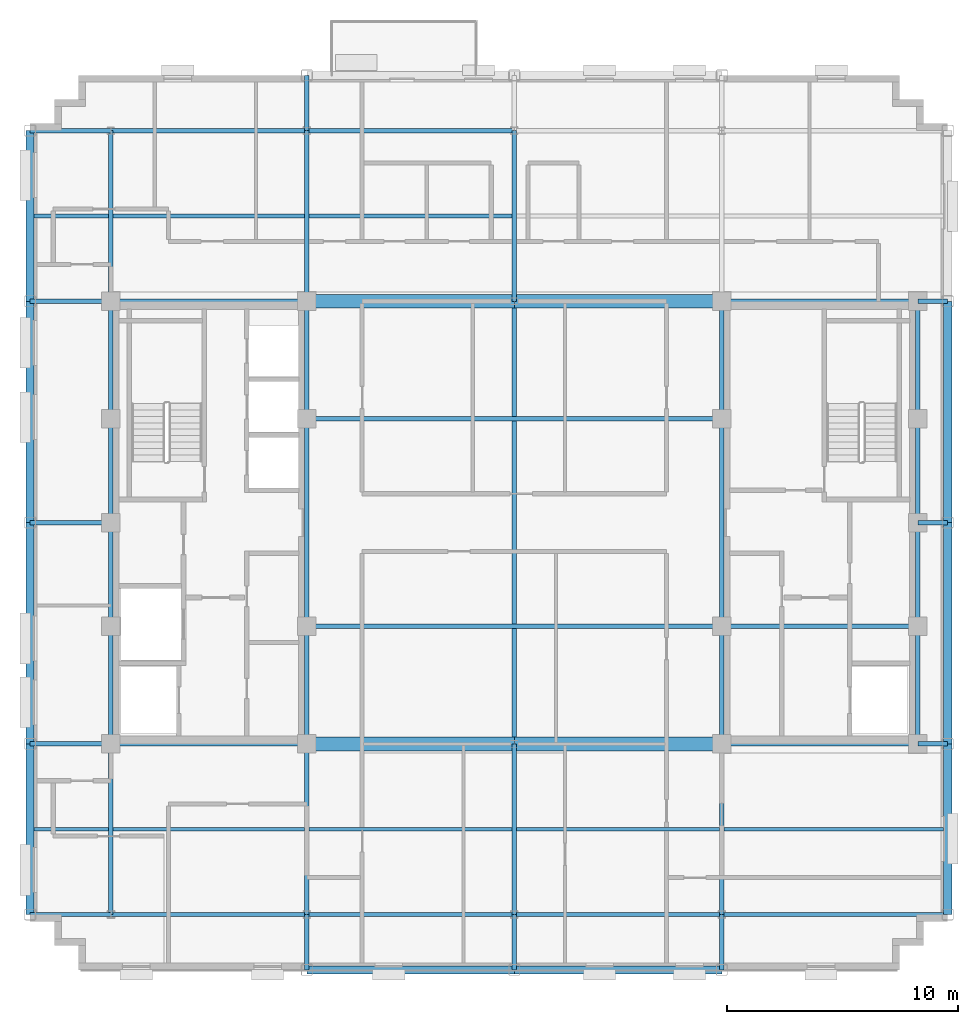
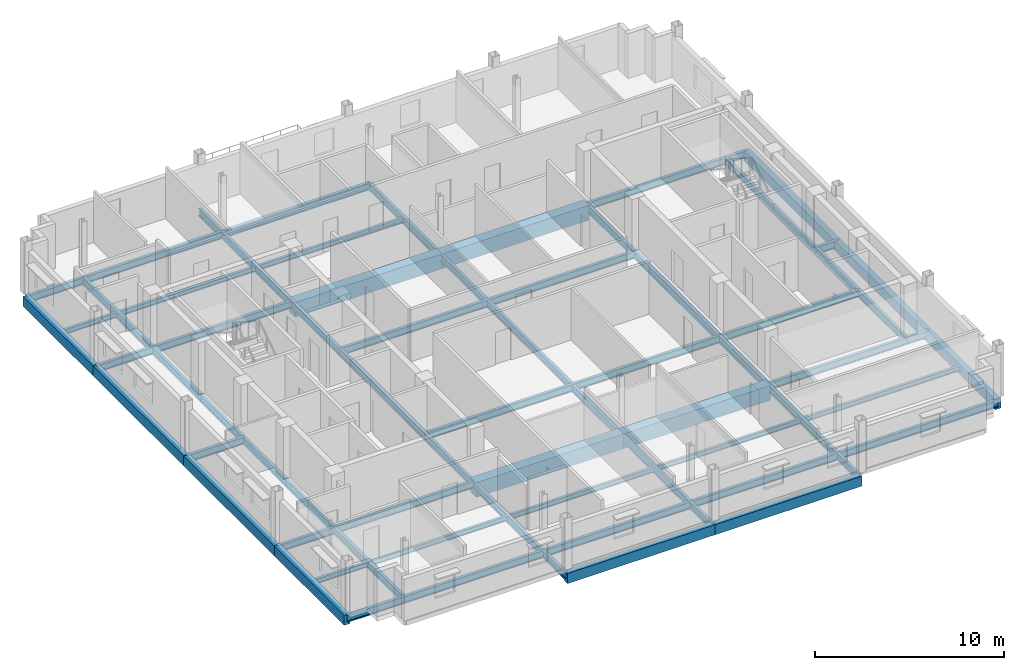
# One storey, part 4 of 14: 68 beams.
"""IFC4 building model written with IfcOpenShell, lengths in metres."""

from ifc_helpers import new_model, si_unit, direction, frame, origin, origin_2d, place, context, subcontext, project, spatial, rectangle, i_section, extrude, material, material_profile, profile_set, type_object, element, save


model = new_model("IFC4")

# Units and contexts
model_context = context("Model", 3, precision=1e-05, world=origin(), true_north=direction((0.0, 1.0)))
body_context = subcontext(model_context, "Body", "Model", "MODEL_VIEW")
ifc_project = project(units=[si_unit("LENGTHUNIT", "METRE"), si_unit("AREAUNIT", "SQUARE_METRE"), si_unit("VOLUMEUNIT", "CUBIC_METRE"), si_unit("PLANEANGLEUNIT", "RADIAN"), si_unit("MASSUNIT", "GRAM", prefix="KILO")], contexts=[model_context])

# Site, building, storey
site_placement = place(None, origin())
site = spatial("IfcSite", under=ifc_project, at=site_placement, CompositionType="ELEMENT")
building_placement = place(site_placement, origin())
building = spatial("IfcBuilding", under=site, at=building_placement, Name="Nuvemarco Arch Tower", CompositionType="ELEMENT")
storey_placement = place(building_placement, frame((0.0, 0.0, 268.89990234375)))
storey = spatial("IfcBuildingStorey", under=building, at=storey_placement, Name="L71", CompositionType="ELEMENT", Elevation=268.89990234375)

# Beams
ifc_material_1 = material(Name="Concrete C60/75", Category="concrete")
ifc_material_profile_1 = material_profile(ifc_material_1, rectangle(XDim=0.60009765625, YDim=0.949951171875, at=origin_2d()), Name="RC-BM-600x950")
ifc_profile_set_1 = profile_set([ifc_material_profile_1], Name="Concrete C60/75")
beam_type_1 = type_object("IfcBeamType", Name="BM-COUP-RC", PredefinedType="LINTEL", material=ifc_profile_set_1)
for number, where, z_axis, x_axis, name in (
    (1, (-9.0, -9.60009765625, -0.7548828125), (1.0, 0.0, 0.0), (0.0, 1.0, 0.0), "L71 structural beam BGEW_L71_0_-9.6_-9.0"),
    (2, (0.0, -9.60009765625, -0.7548828125), (1.0, 0.0, 0.0), (0.0, 1.0, 0.0), "L71 structural beam BGEW_L71_0_-9.6_+0.0"),
    (3, (-9.0, 9.60009765625, -0.7548828125), (1.0, 0.0, 0.0), (0.0, 1.0, 0.0), "L71 structural beam BGEW_L71_0_+9.6_-9.0"),
    (4, (0.0, 9.60009765625, -0.7548828125), (1.0, 0.0, 0.0), (0.0, 1.0, 0.0), "L71 structural beam BGEW_L71_0_+9.6_+0.0"),
):
    element("IfcBeam", number, at=place(storey_placement, frame(where, z_axis=z_axis, x_axis=x_axis)), inside=storey, type_object=beam_type_1, Name=name, PredefinedType="LINTEL", context=body_context, shape_type="SweptSolid", body=[
        extrude(rectangle(XDim=0.60009765625, YDim=0.949951171875, at=origin_2d()), origin(), (0.0, 0.0, 1.0), 9.0),
    ])
ifc_material_2 = material(Name="Steel S355", Category="steel")
ifc_material_profile_2 = material_profile(ifc_material_2, i_section(OverallWidth=0.19189453125, OverallDepth=0.462890625, WebThickness=0.010498046875, FlangeThickness=0.017578125, FilletRadius=0.014892578125, at=origin_2d()), Name="W460x89")
ifc_profile_set_2 = profile_set([ifc_material_profile_2], Name="Steel S355")
beam_type_2 = type_object("IfcBeamType", Name="BM-GIRD-460", PredefinedType="BEAM", material=ifc_profile_set_2)
beam_1_placement = place(storey_placement, frame((-17.5, -17.0, -0.511474609375), z_axis=(0.0, 1.0, 0.0), x_axis=(-1.0, 0.0, 0.0)))
element("IfcBeam", 5, at=beam_1_placement, inside=storey, type_object=beam_type_2, Name="L71 structural beam BGNS_L71_0_-17.5_-17.0", PredefinedType="BEAM", context=body_context, shape_type="SweptSolid", body=[
    extrude(i_section(OverallWidth=0.19189453125, OverallDepth=0.462890625, WebThickness=0.010498046875, FlangeThickness=0.017578125, FilletRadius=0.014892578125, at=origin_2d()), origin(), (0.0, 0.0, 1.0), 7.39990234375),
])
beam_2_placement = place(storey_placement, frame((-17.5, -9.60009765625, -0.511474609375), z_axis=(0.0, 1.0, 0.0), x_axis=(-1.0, 0.0, 0.0)))
element("IfcBeam", 6, at=beam_2_placement, inside=storey, type_object=beam_type_2, Name="L71 structural beam BGNS_L71_0_-17.5_-9.6", PredefinedType="BEAM", context=body_context, shape_type="SweptSolid", body=[
    extrude(i_section(OverallWidth=0.19189453125, OverallDepth=0.462890625, WebThickness=0.010498046875, FlangeThickness=0.017578125, FilletRadius=0.014892578125, at=origin_2d()), origin(), (0.0, 0.0, 1.0), 5.10009765625),
])
for number, where, z_axis, x_axis, name in (
    (7, (-17.5, -4.5, -0.511474609375), (0.0, 1.0, 0.0), (-1.0, 0.0, 0.0), "L71 structural beam BGNS_L71_0_-17.5_-4.5"),
    (8, (-17.5, 0.0, -0.511474609375), (0.0, 1.0, 0.0), (-1.0, 0.0, 0.0), "L71 structural beam BGNS_L71_0_-17.5_+0.0"),
):
    element("IfcBeam", number, at=place(storey_placement, frame(where, z_axis=z_axis, x_axis=x_axis)), inside=storey, type_object=beam_type_2, Name=name, PredefinedType="BEAM", context=body_context, shape_type="SweptSolid", body=[
        extrude(i_section(OverallWidth=0.19189453125, OverallDepth=0.462890625, WebThickness=0.010498046875, FlangeThickness=0.017578125, FilletRadius=0.014892578125, at=origin_2d()), origin(), (0.0, 0.0, 1.0), 4.5),
    ])
beam_3_placement = place(storey_placement, frame((-17.5, 4.5, -0.511474609375), z_axis=(0.0, 1.0, 0.0), x_axis=(-1.0, 0.0, 0.0)))
element("IfcBeam", 9, at=beam_3_placement, inside=storey, type_object=beam_type_2, Name="L71 structural beam BGNS_L71_0_-17.5_+4.5", PredefinedType="BEAM", context=body_context, shape_type="SweptSolid", body=[
    extrude(i_section(OverallWidth=0.19189453125, OverallDepth=0.462890625, WebThickness=0.010498046875, FlangeThickness=0.017578125, FilletRadius=0.014892578125, at=origin_2d()), origin(), (0.0, 0.0, 1.0), 5.10009765625),
])
beam_4_placement = place(storey_placement, frame((-17.5, 9.60009765625, -0.511474609375), z_axis=(0.0, 1.0, 0.0), x_axis=(-1.0, 0.0, 0.0)))
element("IfcBeam", 10, at=beam_4_placement, inside=storey, type_object=beam_type_2, Name="L71 structural beam BGNS_L71_0_-17.5_+9.6", PredefinedType="BEAM", context=body_context, shape_type="SweptSolid", body=[
    extrude(i_section(OverallWidth=0.19189453125, OverallDepth=0.462890625, WebThickness=0.010498046875, FlangeThickness=0.017578125, FilletRadius=0.014892578125, at=origin_2d()), origin(), (0.0, 0.0, 1.0), 7.39990234375),
])
beam_5_placement = place(storey_placement, frame((-9.0, -19.39990234375, -0.511474609375), z_axis=(0.0, 1.0, 0.0), x_axis=(-1.0, 0.0, 0.0)))
element("IfcBeam", 11, at=beam_5_placement, inside=storey, type_object=beam_type_2, Name="L71 structural beam BGNS_L71_0_-9.0_-19.4", PredefinedType="BEAM", context=body_context, shape_type="SweptSolid", body=[
    extrude(i_section(OverallWidth=0.19189453125, OverallDepth=0.462890625, WebThickness=0.010498046875, FlangeThickness=0.017578125, FilletRadius=0.014892578125, at=origin_2d()), origin(), (0.0, 0.0, 1.0), 2.39990234375),
])
beam_6_placement = place(storey_placement, frame((-9.0, -17.0, -0.511474609375), z_axis=(0.0, 1.0, 0.0), x_axis=(-1.0, 0.0, 0.0)))
element("IfcBeam", 12, at=beam_6_placement, inside=storey, type_object=beam_type_2, Name="L71 structural beam BGNS_L71_0_-9.0_-17.0", PredefinedType="BEAM", context=body_context, shape_type="SweptSolid", body=[
    extrude(i_section(OverallWidth=0.19189453125, OverallDepth=0.462890625, WebThickness=0.010498046875, FlangeThickness=0.017578125, FilletRadius=0.014892578125, at=origin_2d()), origin(), (0.0, 0.0, 1.0), 7.39990234375),
])
beam_7_placement = place(storey_placement, frame((-9.0, -9.60009765625, -0.511474609375), z_axis=(0.0, 1.0, 0.0), x_axis=(-1.0, 0.0, 0.0)))
element("IfcBeam", 13, at=beam_7_placement, inside=storey, type_object=beam_type_2, Name="L71 structural beam BGNS_L71_0_-9.0_-9.6", PredefinedType="BEAM", context=body_context, shape_type="SweptSolid", body=[
    extrude(i_section(OverallWidth=0.19189453125, OverallDepth=0.462890625, WebThickness=0.010498046875, FlangeThickness=0.017578125, FilletRadius=0.014892578125, at=origin_2d()), origin(), (0.0, 0.0, 1.0), 5.10009765625),
])
beam_8_placement = place(storey_placement, frame((-9.0, -4.5, -0.511474609375), z_axis=(0.0, 1.0, 0.0), x_axis=(-1.0, 0.0, 0.0)))
element("IfcBeam", 14, at=beam_8_placement, inside=storey, type_object=beam_type_2, Name="L71 structural beam BGNS_L71_0_-9.0_-4.5", PredefinedType="BEAM", context=body_context, shape_type="SweptSolid", body=[
    extrude(i_section(OverallWidth=0.19189453125, OverallDepth=0.462890625, WebThickness=0.010498046875, FlangeThickness=0.017578125, FilletRadius=0.014892578125, at=origin_2d()), origin(), (0.0, 0.0, 1.0), 9.0),
])
beam_9_placement = place(storey_placement, frame((-9.0, 4.5, -0.511474609375), z_axis=(0.0, 1.0, 0.0), x_axis=(-1.0, 0.0, 0.0)))
element("IfcBeam", 15, at=beam_9_placement, inside=storey, type_object=beam_type_2, Name="L71 structural beam BGNS_L71_0_-9.0_+4.5", PredefinedType="BEAM", context=body_context, shape_type="SweptSolid", body=[
    extrude(i_section(OverallWidth=0.19189453125, OverallDepth=0.462890625, WebThickness=0.010498046875, FlangeThickness=0.017578125, FilletRadius=0.014892578125, at=origin_2d()), origin(), (0.0, 0.0, 1.0), 5.10009765625),
])
beam_10_placement = place(storey_placement, frame((-9.0, 9.60009765625, -0.511474609375), z_axis=(0.0, 1.0, 0.0), x_axis=(-1.0, 0.0, 0.0)))
element("IfcBeam", 16, at=beam_10_placement, inside=storey, type_object=beam_type_2, Name="L71 structural beam BGNS_L71_0_-9.0_+9.6", PredefinedType="BEAM", context=body_context, shape_type="SweptSolid", body=[
    extrude(i_section(OverallWidth=0.19189453125, OverallDepth=0.462890625, WebThickness=0.010498046875, FlangeThickness=0.017578125, FilletRadius=0.014892578125, at=origin_2d()), origin(), (0.0, 0.0, 1.0), 7.39990234375),
])
for number, where, z_axis, x_axis, name in (
    (17, (-9.0, 17.0, -0.511474609375), (0.0, 1.0, 0.0), (-1.0, 0.0, 0.0), "L71 structural beam BGNS_L71_0_-9.0_+17.0"),
    (18, (0.0, -19.39990234375, -0.511474609375), (0.0, 1.0, 0.0), (-1.0, 0.0, 0.0), "L71 structural beam BGNS_L71_0_+0.0_-19.4"),
):
    element("IfcBeam", number, at=place(storey_placement, frame(where, z_axis=z_axis, x_axis=x_axis)), inside=storey, type_object=beam_type_2, Name=name, PredefinedType="BEAM", context=body_context, shape_type="SweptSolid", body=[
        extrude(i_section(OverallWidth=0.19189453125, OverallDepth=0.462890625, WebThickness=0.010498046875, FlangeThickness=0.017578125, FilletRadius=0.014892578125, at=origin_2d()), origin(), (0.0, 0.0, 1.0), 2.39990234375),
    ])
beam_11_placement = place(storey_placement, frame((0.0, -17.0, -0.511474609375), z_axis=(0.0, 1.0, 0.0), x_axis=(-1.0, 0.0, 0.0)))
element("IfcBeam", 19, at=beam_11_placement, inside=storey, type_object=beam_type_2, Name="L71 structural beam BGNS_L71_0_+0.0_-17.0", PredefinedType="BEAM", context=body_context, shape_type="SweptSolid", body=[
    extrude(i_section(OverallWidth=0.19189453125, OverallDepth=0.462890625, WebThickness=0.010498046875, FlangeThickness=0.017578125, FilletRadius=0.014892578125, at=origin_2d()), origin(), (0.0, 0.0, 1.0), 7.39990234375),
])
beam_12_placement = place(storey_placement, frame((0.0, -9.60009765625, -0.511474609375), z_axis=(0.0, 1.0, 0.0), x_axis=(-1.0, 0.0, 0.0)))
element("IfcBeam", 20, at=beam_12_placement, inside=storey, type_object=beam_type_2, Name="L71 structural beam BGNS_L71_0_+0.0_-9.6", PredefinedType="BEAM", context=body_context, shape_type="SweptSolid", body=[
    extrude(i_section(OverallWidth=0.19189453125, OverallDepth=0.462890625, WebThickness=0.010498046875, FlangeThickness=0.017578125, FilletRadius=0.014892578125, at=origin_2d()), origin(), (0.0, 0.0, 1.0), 19.2001953125),
])
beam_13_placement = place(storey_placement, frame((0.0, 9.60009765625, -0.511474609375), z_axis=(0.0, 1.0, 0.0), x_axis=(-1.0, 0.0, 0.0)))
element("IfcBeam", 21, at=beam_13_placement, inside=storey, type_object=beam_type_2, Name="L71 structural beam BGNS_L71_0_+0.0_+9.6", PredefinedType="BEAM", context=body_context, shape_type="SweptSolid", body=[
    extrude(i_section(OverallWidth=0.19189453125, OverallDepth=0.462890625, WebThickness=0.010498046875, FlangeThickness=0.017578125, FilletRadius=0.014892578125, at=origin_2d()), origin(), (0.0, 0.0, 1.0), 7.39990234375),
])
beam_14_placement = place(storey_placement, frame((9.0, -19.39990234375, -0.511474609375), z_axis=(0.0, 1.0, 0.0), x_axis=(-1.0, 0.0, 0.0)))
element("IfcBeam", 22, at=beam_14_placement, inside=storey, type_object=beam_type_2, Name="L71 structural beam BGNS_L71_0_+9.0_-19.4", PredefinedType="BEAM", context=body_context, shape_type="SweptSolid", body=[
    extrude(i_section(OverallWidth=0.19189453125, OverallDepth=0.462890625, WebThickness=0.010498046875, FlangeThickness=0.017578125, FilletRadius=0.014892578125, at=origin_2d()), origin(), (0.0, 0.0, 1.0), 2.39990234375),
])
beam_15_placement = place(storey_placement, frame((9.0, -17.0, -0.511474609375), z_axis=(0.0, 1.0, 0.0), x_axis=(-1.0, 0.0, 0.0)))
element("IfcBeam", 23, at=beam_15_placement, inside=storey, type_object=beam_type_2, Name="L71 structural beam BGNS_L71_0_+9.0_-17.0", PredefinedType="BEAM", context=body_context, shape_type="SweptSolid", body=[
    extrude(i_section(OverallWidth=0.19189453125, OverallDepth=0.462890625, WebThickness=0.010498046875, FlangeThickness=0.017578125, FilletRadius=0.014892578125, at=origin_2d()), origin(), (0.0, 0.0, 1.0), 7.39990234375),
])
beam_16_placement = place(storey_placement, frame((9.0, -9.60009765625, -0.511474609375), z_axis=(0.0, 1.0, 0.0), x_axis=(-1.0, 0.0, 0.0)))
element("IfcBeam", 24, at=beam_16_placement, inside=storey, type_object=beam_type_2, Name="L71 structural beam BGNS_L71_0_+9.0_-9.6", PredefinedType="BEAM", context=body_context, shape_type="SweptSolid", body=[
    extrude(i_section(OverallWidth=0.19189453125, OverallDepth=0.462890625, WebThickness=0.010498046875, FlangeThickness=0.017578125, FilletRadius=0.014892578125, at=origin_2d()), origin(), (0.0, 0.0, 1.0), 5.10009765625),
])
beam_17_placement = place(storey_placement, frame((9.0, -4.5, -0.511474609375), z_axis=(0.0, 1.0, 0.0), x_axis=(-1.0, 0.0, 0.0)))
element("IfcBeam", 25, at=beam_17_placement, inside=storey, type_object=beam_type_2, Name="L71 structural beam BGNS_L71_0_+9.0_-4.5", PredefinedType="BEAM", context=body_context, shape_type="SweptSolid", body=[
    extrude(i_section(OverallWidth=0.19189453125, OverallDepth=0.462890625, WebThickness=0.010498046875, FlangeThickness=0.017578125, FilletRadius=0.014892578125, at=origin_2d()), origin(), (0.0, 0.0, 1.0), 9.0),
])
for number, where, z_axis, x_axis, name in (
    (26, (9.0, 4.5, -0.511474609375), (0.0, 1.0, 0.0), (-1.0, 0.0, 0.0), "L71 structural beam BGNS_L71_0_+9.0_+4.5"),
    (27, (17.5, -9.60009765625, -0.511474609375), (0.0, 1.0, 0.0), (-1.0, 0.0, 0.0), "L71 structural beam BGNS_L71_0_+17.5_-9.6"),
):
    element("IfcBeam", number, at=place(storey_placement, frame(where, z_axis=z_axis, x_axis=x_axis)), inside=storey, type_object=beam_type_2, Name=name, PredefinedType="BEAM", context=body_context, shape_type="SweptSolid", body=[
        extrude(i_section(OverallWidth=0.19189453125, OverallDepth=0.462890625, WebThickness=0.010498046875, FlangeThickness=0.017578125, FilletRadius=0.014892578125, at=origin_2d()), origin(), (0.0, 0.0, 1.0), 5.10009765625),
    ])
for number, where, z_axis, x_axis, name in (
    (28, (17.5, -4.5, -0.511474609375), (0.0, 1.0, 0.0), (-1.0, 0.0, 0.0), "L71 structural beam BGNS_L71_0_+17.5_-4.5"),
    (29, (17.5, 0.0, -0.511474609375), (0.0, 1.0, 0.0), (-1.0, 0.0, 0.0), "L71 structural beam BGNS_L71_0_+17.5_+0.0"),
):
    element("IfcBeam", number, at=place(storey_placement, frame(where, z_axis=z_axis, x_axis=x_axis)), inside=storey, type_object=beam_type_2, Name=name, PredefinedType="BEAM", context=body_context, shape_type="SweptSolid", body=[
        extrude(i_section(OverallWidth=0.19189453125, OverallDepth=0.462890625, WebThickness=0.010498046875, FlangeThickness=0.017578125, FilletRadius=0.014892578125, at=origin_2d()), origin(), (0.0, 0.0, 1.0), 4.5),
    ])
beam_18_placement = place(storey_placement, frame((17.5, 4.5, -0.511474609375), z_axis=(0.0, 1.0, 0.0), x_axis=(-1.0, 0.0, 0.0)))
element("IfcBeam", 30, at=beam_18_placement, inside=storey, type_object=beam_type_2, Name="L71 structural beam BGNS_L71_0_+17.5_+4.5", PredefinedType="BEAM", context=body_context, shape_type="SweptSolid", body=[
    extrude(i_section(OverallWidth=0.19189453125, OverallDepth=0.462890625, WebThickness=0.010498046875, FlangeThickness=0.017578125, FilletRadius=0.014892578125, at=origin_2d()), origin(), (0.0, 0.0, 1.0), 5.10009765625),
])
beam_19_placement = place(storey_placement, frame((-21.0, -17.0, -0.511474609375), z_axis=(1.0, 0.0, 0.0), x_axis=(0.0, 1.0, 0.0)))
element("IfcBeam", 31, at=beam_19_placement, inside=storey, type_object=beam_type_2, Name="L71 structural beam BGEW_L71_0_-17.0_-21.0", PredefinedType="BEAM", context=body_context, shape_type="SweptSolid", body=[
    extrude(i_section(OverallWidth=0.19189453125, OverallDepth=0.462890625, WebThickness=0.010498046875, FlangeThickness=0.017578125, FilletRadius=0.014892578125, at=origin_2d()), origin(), (0.0, 0.0, 1.0), 3.5),
])
beam_20_placement = place(storey_placement, frame((-17.5, -17.0, -0.511474609375), z_axis=(1.0, 0.0, 0.0), x_axis=(0.0, 1.0, 0.0)))
element("IfcBeam", 32, at=beam_20_placement, inside=storey, type_object=beam_type_2, Name="L71 structural beam BGEW_L71_0_-17.0_-17.5", PredefinedType="BEAM", context=body_context, shape_type="SweptSolid", body=[
    extrude(i_section(OverallWidth=0.19189453125, OverallDepth=0.462890625, WebThickness=0.010498046875, FlangeThickness=0.017578125, FilletRadius=0.014892578125, at=origin_2d()), origin(), (0.0, 0.0, 1.0), 8.5),
])
for number, where, z_axis, x_axis, name in (
    (33, (-9.0, -17.0, -0.511474609375), (1.0, 0.0, 0.0), (0.0, 1.0, 0.0), "L71 structural beam BGEW_L71_0_-17.0_-9.0"),
    (34, (0.0, -17.0, -0.511474609375), (1.0, 0.0, 0.0), (0.0, 1.0, 0.0), "L71 structural beam BGEW_L71_0_-17.0_+0.0"),
):
    element("IfcBeam", number, at=place(storey_placement, frame(where, z_axis=z_axis, x_axis=x_axis)), inside=storey, type_object=beam_type_2, Name=name, PredefinedType="BEAM", context=body_context, shape_type="SweptSolid", body=[
        extrude(i_section(OverallWidth=0.19189453125, OverallDepth=0.462890625, WebThickness=0.010498046875, FlangeThickness=0.017578125, FilletRadius=0.014892578125, at=origin_2d()), origin(), (0.0, 0.0, 1.0), 9.0),
    ])
beam_21_placement = place(storey_placement, frame((9.0, -17.0, -0.511474609375), z_axis=(1.0, 0.0, 0.0), x_axis=(0.0, 1.0, 0.0)))
element("IfcBeam", 35, at=beam_21_placement, inside=storey, type_object=beam_type_2, Name="L71 structural beam BGEW_L71_0_-17.0_+9.0", PredefinedType="BEAM", context=body_context, shape_type="SweptSolid", body=[
    extrude(i_section(OverallWidth=0.19189453125, OverallDepth=0.462890625, WebThickness=0.010498046875, FlangeThickness=0.017578125, FilletRadius=0.014892578125, at=origin_2d()), origin(), (0.0, 0.0, 1.0), 9.800048828125),
])
beam_22_placement = place(storey_placement, frame((-21.0, -9.60009765625, -0.511474609375), z_axis=(1.0, 0.0, 0.0), x_axis=(0.0, 1.0, 0.0)))
element("IfcBeam", 36, at=beam_22_placement, inside=storey, type_object=beam_type_2, Name="L71 structural beam BGEW_L71_0_-9.6_-21.0", PredefinedType="BEAM", context=body_context, shape_type="SweptSolid", body=[
    extrude(i_section(OverallWidth=0.19189453125, OverallDepth=0.462890625, WebThickness=0.010498046875, FlangeThickness=0.017578125, FilletRadius=0.014892578125, at=origin_2d()), origin(), (0.0, 0.0, 1.0), 3.5),
])
for number, where, z_axis, x_axis, name in (
    (37, (-17.5, -9.60009765625, -0.511474609375), (1.0, 0.0, 0.0), (0.0, 1.0, 0.0), "L71 structural beam BGEW_L71_0_-9.6_-17.5"),
    (38, (9.0, -9.60009765625, -0.511474609375), (1.0, 0.0, 0.0), (0.0, 1.0, 0.0), "L71 structural beam BGEW_L71_0_-9.6_+9.0"),
):
    element("IfcBeam", number, at=place(storey_placement, frame(where, z_axis=z_axis, x_axis=x_axis)), inside=storey, type_object=beam_type_2, Name=name, PredefinedType="BEAM", context=body_context, shape_type="SweptSolid", body=[
        extrude(i_section(OverallWidth=0.19189453125, OverallDepth=0.462890625, WebThickness=0.010498046875, FlangeThickness=0.017578125, FilletRadius=0.014892578125, at=origin_2d()), origin(), (0.0, 0.0, 1.0), 8.5),
    ])
beam_23_placement = place(storey_placement, frame((17.5, -9.60009765625, -0.511474609375), z_axis=(1.0, 0.0, 0.0), x_axis=(0.0, 1.0, 0.0)))
element("IfcBeam", 39, at=beam_23_placement, inside=storey, type_object=beam_type_2, Name="L71 structural beam BGEW_L71_0_-9.6_+17.5", PredefinedType="BEAM", context=body_context, shape_type="SweptSolid", body=[
    extrude(i_section(OverallWidth=0.19189453125, OverallDepth=0.462890625, WebThickness=0.010498046875, FlangeThickness=0.017578125, FilletRadius=0.014892578125, at=origin_2d()), origin(), (0.0, 0.0, 1.0), 1.300048828125),
])
beam_24_placement = place(storey_placement, frame((-9.0, -4.5, -0.511474609375), z_axis=(1.0, 0.0, 0.0), x_axis=(0.0, 1.0, 0.0)))
element("IfcBeam", 40, at=beam_24_placement, inside=storey, type_object=beam_type_2, Name="L71 structural beam BGEW_L71_0_-4.5_-9.0", PredefinedType="BEAM", context=body_context, shape_type="SweptSolid", body=[
    extrude(i_section(OverallWidth=0.19189453125, OverallDepth=0.462890625, WebThickness=0.010498046875, FlangeThickness=0.017578125, FilletRadius=0.014892578125, at=origin_2d()), origin(), (0.0, 0.0, 1.0), 18.0),
])
beam_25_placement = place(storey_placement, frame((9.0, -4.5, -0.511474609375), z_axis=(1.0, 0.0, 0.0), x_axis=(0.0, 1.0, 0.0)))
element("IfcBeam", 41, at=beam_25_placement, inside=storey, type_object=beam_type_2, Name="L71 structural beam BGEW_L71_0_-4.5_+9.0", PredefinedType="BEAM", context=body_context, shape_type="SweptSolid", body=[
    extrude(i_section(OverallWidth=0.19189453125, OverallDepth=0.462890625, WebThickness=0.010498046875, FlangeThickness=0.017578125, FilletRadius=0.014892578125, at=origin_2d()), origin(), (0.0, 0.0, 1.0), 8.5),
])
beam_26_placement = place(storey_placement, frame((-21.0, 0.0, -0.511474609375), z_axis=(1.0, 0.0, 0.0), x_axis=(0.0, 1.0, 0.0)))
element("IfcBeam", 42, at=beam_26_placement, inside=storey, type_object=beam_type_2, Name="L71 structural beam BGEW_L71_0_+0.0_-21.0", PredefinedType="BEAM", context=body_context, shape_type="SweptSolid", body=[
    extrude(i_section(OverallWidth=0.19189453125, OverallDepth=0.462890625, WebThickness=0.010498046875, FlangeThickness=0.017578125, FilletRadius=0.014892578125, at=origin_2d()), origin(), (0.0, 0.0, 1.0), 3.5),
])
beam_27_placement = place(storey_placement, frame((17.5, 0.0, -0.511474609375), z_axis=(1.0, 0.0, 0.0), x_axis=(0.0, 1.0, 0.0)))
element("IfcBeam", 43, at=beam_27_placement, inside=storey, type_object=beam_type_2, Name="L71 structural beam BGEW_L71_0_+0.0_+17.5", PredefinedType="BEAM", context=body_context, shape_type="SweptSolid", body=[
    extrude(i_section(OverallWidth=0.19189453125, OverallDepth=0.462890625, WebThickness=0.010498046875, FlangeThickness=0.017578125, FilletRadius=0.014892578125, at=origin_2d()), origin(), (0.0, 0.0, 1.0), 1.300048828125),
])
beam_28_placement = place(storey_placement, frame((-9.0, 4.5, -0.511474609375), z_axis=(1.0, 0.0, 0.0), x_axis=(0.0, 1.0, 0.0)))
element("IfcBeam", 44, at=beam_28_placement, inside=storey, type_object=beam_type_2, Name="L71 structural beam BGEW_L71_0_+4.5_-9.0", PredefinedType="BEAM", context=body_context, shape_type="SweptSolid", body=[
    extrude(i_section(OverallWidth=0.19189453125, OverallDepth=0.462890625, WebThickness=0.010498046875, FlangeThickness=0.017578125, FilletRadius=0.014892578125, at=origin_2d()), origin(), (0.0, 0.0, 1.0), 18.0),
])
beam_29_placement = place(storey_placement, frame((-21.0, 9.60009765625, -0.511474609375), z_axis=(1.0, 0.0, 0.0), x_axis=(0.0, 1.0, 0.0)))
element("IfcBeam", 45, at=beam_29_placement, inside=storey, type_object=beam_type_2, Name="L71 structural beam BGEW_L71_0_+9.6_-21.0", PredefinedType="BEAM", context=body_context, shape_type="SweptSolid", body=[
    extrude(i_section(OverallWidth=0.19189453125, OverallDepth=0.462890625, WebThickness=0.010498046875, FlangeThickness=0.017578125, FilletRadius=0.014892578125, at=origin_2d()), origin(), (0.0, 0.0, 1.0), 3.5),
])
for number, where, z_axis, x_axis, name in (
    (46, (-17.5, 9.60009765625, -0.511474609375), (1.0, 0.0, 0.0), (0.0, 1.0, 0.0), "L71 structural beam BGEW_L71_0_+9.6_-17.5"),
    (47, (9.0, 9.60009765625, -0.511474609375), (1.0, 0.0, 0.0), (0.0, 1.0, 0.0), "L71 structural beam BGEW_L71_0_+9.6_+9.0"),
):
    element("IfcBeam", number, at=place(storey_placement, frame(where, z_axis=z_axis, x_axis=x_axis)), inside=storey, type_object=beam_type_2, Name=name, PredefinedType="BEAM", context=body_context, shape_type="SweptSolid", body=[
        extrude(i_section(OverallWidth=0.19189453125, OverallDepth=0.462890625, WebThickness=0.010498046875, FlangeThickness=0.017578125, FilletRadius=0.014892578125, at=origin_2d()), origin(), (0.0, 0.0, 1.0), 8.5),
    ])
beam_30_placement = place(storey_placement, frame((17.5, 9.60009765625, -0.511474609375), z_axis=(1.0, 0.0, 0.0), x_axis=(0.0, 1.0, 0.0)))
element("IfcBeam", 48, at=beam_30_placement, inside=storey, type_object=beam_type_2, Name="L71 structural beam BGEW_L71_0_+9.6_+17.5", PredefinedType="BEAM", context=body_context, shape_type="SweptSolid", body=[
    extrude(i_section(OverallWidth=0.19189453125, OverallDepth=0.462890625, WebThickness=0.010498046875, FlangeThickness=0.017578125, FilletRadius=0.014892578125, at=origin_2d()), origin(), (0.0, 0.0, 1.0), 1.300048828125),
])
beam_31_placement = place(storey_placement, frame((-21.0, 17.0, -0.511474609375), z_axis=(1.0, 0.0, 0.0), x_axis=(0.0, 1.0, 0.0)))
element("IfcBeam", 49, at=beam_31_placement, inside=storey, type_object=beam_type_2, Name="L71 structural beam BGEW_L71_0_+17.0_-21.0", PredefinedType="BEAM", context=body_context, shape_type="SweptSolid", body=[
    extrude(i_section(OverallWidth=0.19189453125, OverallDepth=0.462890625, WebThickness=0.010498046875, FlangeThickness=0.017578125, FilletRadius=0.014892578125, at=origin_2d()), origin(), (0.0, 0.0, 1.0), 3.5),
])
beam_32_placement = place(storey_placement, frame((-17.5, 17.0, -0.511474609375), z_axis=(1.0, 0.0, 0.0), x_axis=(0.0, 1.0, 0.0)))
element("IfcBeam", 50, at=beam_32_placement, inside=storey, type_object=beam_type_2, Name="L71 structural beam BGEW_L71_0_+17.0_-17.5", PredefinedType="BEAM", context=body_context, shape_type="SweptSolid", body=[
    extrude(i_section(OverallWidth=0.19189453125, OverallDepth=0.462890625, WebThickness=0.010498046875, FlangeThickness=0.017578125, FilletRadius=0.014892578125, at=origin_2d()), origin(), (0.0, 0.0, 1.0), 8.5),
])
beam_33_placement = place(storey_placement, frame((-9.0, 17.0, -0.511474609375), z_axis=(1.0, 0.0, 0.0), x_axis=(0.0, 1.0, 0.0)))
element("IfcBeam", 51, at=beam_33_placement, inside=storey, type_object=beam_type_2, Name="L71 structural beam BGEW_L71_0_+17.0_-9.0", PredefinedType="BEAM", context=body_context, shape_type="SweptSolid", body=[
    extrude(i_section(OverallWidth=0.19189453125, OverallDepth=0.462890625, WebThickness=0.010498046875, FlangeThickness=0.017578125, FilletRadius=0.014892578125, at=origin_2d()), origin(), (0.0, 0.0, 1.0), 9.0),
])
ifc_material_profile_3 = material_profile(ifc_material_2, i_section(OverallWidth=0.1669921875, OverallDepth=0.31689453125, WebThickness=0.007568359375, FlangeThickness=0.01318359375, FilletRadius=0.010009765625, at=origin_2d()), Name="W310x52")
ifc_profile_set_3 = profile_set([ifc_material_profile_3], Name="Steel S355")
beam_type_3 = type_object("IfcBeamType", Name="BM-JOIST-310", PredefinedType="JOIST", material=ifc_profile_set_3)
beam_34_placement = place(storey_placement, frame((-20.824951171875, -13.300048828125, -0.4384765625), z_axis=(1.0, 0.0, 0.0), x_axis=(0.0, 1.0, 0.0)))
element("IfcBeam", 52, at=beam_34_placement, inside=storey, type_object=beam_type_3, Name="L71 structural beam BJ_L71_0_-13.3_-21.0", PredefinedType="JOIST", context=body_context, shape_type="SweptSolid", body=[
    extrude(i_section(OverallWidth=0.1669921875, OverallDepth=0.31689453125, WebThickness=0.007568359375, FlangeThickness=0.01318359375, FilletRadius=0.010009765625, at=origin_2d()), origin(), (0.0, 0.0, 1.0), 3.22900390625),
])
beam_35_placement = place(storey_placement, frame((-17.404052734375, -13.300048828125, -0.4384765625), z_axis=(1.0, 0.0, 0.0), x_axis=(0.0, 1.0, 0.0)))
element("IfcBeam", 53, at=beam_35_placement, inside=storey, type_object=beam_type_3, Name="L71 structural beam BJ_L71_0_-13.3_-17.5", PredefinedType="JOIST", context=body_context, shape_type="SweptSolid", body=[
    extrude(i_section(OverallWidth=0.1669921875, OverallDepth=0.31689453125, WebThickness=0.007568359375, FlangeThickness=0.01318359375, FilletRadius=0.010009765625, at=origin_2d()), origin(), (0.0, 0.0, 1.0), 8.30810546875),
])
for number, where, z_axis, x_axis, name in (
    (54, (-8.904052734375, -13.300048828125, -0.4384765625), (1.0, 0.0, 0.0), (0.0, 1.0, 0.0), "L71 structural beam BJ_L71_0_-13.3_-9.0"),
    (55, (0.095947265625, -13.300048828125, -0.4384765625), (1.0, 0.0, 0.0), (0.0, 1.0, 0.0), "L71 structural beam BJ_L71_0_-13.3_+0.0"),
):
    element("IfcBeam", number, at=place(storey_placement, frame(where, z_axis=z_axis, x_axis=x_axis)), inside=storey, type_object=beam_type_3, Name=name, PredefinedType="JOIST", context=body_context, shape_type="SweptSolid", body=[
        extrude(i_section(OverallWidth=0.1669921875, OverallDepth=0.31689453125, WebThickness=0.007568359375, FlangeThickness=0.01318359375, FilletRadius=0.010009765625, at=origin_2d()), origin(), (0.0, 0.0, 1.0), 8.80810546875),
    ])
beam_36_placement = place(storey_placement, frame((9.095947265625, -13.300048828125, -0.4384765625), z_axis=(1.0, 0.0, 0.0), x_axis=(0.0, 1.0, 0.0)))
element("IfcBeam", 56, at=beam_36_placement, inside=storey, type_object=beam_type_3, Name="L71 structural beam BJ_L71_0_-13.3_+9.0", PredefinedType="JOIST", context=body_context, shape_type="SweptSolid", body=[
    extrude(i_section(OverallWidth=0.1669921875, OverallDepth=0.31689453125, WebThickness=0.007568359375, FlangeThickness=0.01318359375, FilletRadius=0.010009765625, at=origin_2d()), origin(), (0.0, 0.0, 1.0), 9.529052734375),
])
beam_37_placement = place(storey_placement, frame((-20.824951171875, 13.300048828125, -0.4384765625), z_axis=(1.0, 0.0, 0.0), x_axis=(0.0, 1.0, 0.0)))
element("IfcBeam", 57, at=beam_37_placement, inside=storey, type_object=beam_type_3, Name="L71 structural beam BJ_L71_0_+13.3_-21.0", PredefinedType="JOIST", context=body_context, shape_type="SweptSolid", body=[
    extrude(i_section(OverallWidth=0.1669921875, OverallDepth=0.31689453125, WebThickness=0.007568359375, FlangeThickness=0.01318359375, FilletRadius=0.010009765625, at=origin_2d()), origin(), (0.0, 0.0, 1.0), 3.22900390625),
])
beam_38_placement = place(storey_placement, frame((-17.404052734375, 13.300048828125, -0.4384765625), z_axis=(1.0, 0.0, 0.0), x_axis=(0.0, 1.0, 0.0)))
element("IfcBeam", 58, at=beam_38_placement, inside=storey, type_object=beam_type_3, Name="L71 structural beam BJ_L71_0_+13.3_-17.5", PredefinedType="JOIST", context=body_context, shape_type="SweptSolid", body=[
    extrude(i_section(OverallWidth=0.1669921875, OverallDepth=0.31689453125, WebThickness=0.007568359375, FlangeThickness=0.01318359375, FilletRadius=0.010009765625, at=origin_2d()), origin(), (0.0, 0.0, 1.0), 8.30810546875),
])
beam_39_placement = place(storey_placement, frame((-8.904052734375, 13.300048828125, -0.4384765625), z_axis=(1.0, 0.0, 0.0), x_axis=(0.0, 1.0, 0.0)))
element("IfcBeam", 59, at=beam_39_placement, inside=storey, type_object=beam_type_3, Name="L71 structural beam BJ_L71_0_+13.3_-9.0", PredefinedType="JOIST", context=body_context, shape_type="SweptSolid", body=[
    extrude(i_section(OverallWidth=0.1669921875, OverallDepth=0.31689453125, WebThickness=0.007568359375, FlangeThickness=0.01318359375, FilletRadius=0.010009765625, at=origin_2d()), origin(), (0.0, 0.0, 1.0), 8.80810546875),
])
ifc_material_3 = material(Name="Precast concrete C45/55", Category="concrete")
ifc_material_profile_4 = material_profile(ifc_material_3, rectangle(XDim=0.35009765625, YDim=0.64990234375, at=origin_2d()), Name="PC-SP-350x650")
ifc_profile_set_4 = profile_set([ifc_material_profile_4], Name="Precast concrete C45/55")
beam_type_4 = type_object("IfcBeamType", Name="BM-SPAN-RC", PredefinedType="SPANDREL", material=ifc_profile_set_4)
beam_40_placement = place(storey_placement, frame((-21.0, -17.0, -0.60498046875), z_axis=(0.0, 1.0, 0.0), x_axis=(-1.0, 0.0, 0.0)))
element("IfcBeam", 60, at=beam_40_placement, inside=storey, type_object=beam_type_4, Name="L71 structural beam BGNS_L71_0_-21.0_-17.0", PredefinedType="SPANDREL", context=body_context, shape_type="SweptSolid", body=[
    extrude(rectangle(XDim=0.35009765625, YDim=0.64990234375, at=origin_2d()), origin(), (0.0, 0.0, 1.0), 7.39990234375),
])
for number, where, z_axis, x_axis, name in (
    (61, (-21.0, -9.60009765625, -0.60498046875), (0.0, 1.0, 0.0), (-1.0, 0.0, 0.0), "L71 structural beam BGNS_L71_0_-21.0_-9.6"),
    (62, (-21.0, 0.0, -0.60498046875), (0.0, 1.0, 0.0), (-1.0, 0.0, 0.0), "L71 structural beam BGNS_L71_0_-21.0_+0.0"),
):
    element("IfcBeam", number, at=place(storey_placement, frame(where, z_axis=z_axis, x_axis=x_axis)), inside=storey, type_object=beam_type_4, Name=name, PredefinedType="SPANDREL", context=body_context, shape_type="SweptSolid", body=[
        extrude(rectangle(XDim=0.35009765625, YDim=0.64990234375, at=origin_2d()), origin(), (0.0, 0.0, 1.0), 9.60009765625),
    ])
for number, where, z_axis, x_axis, name in (
    (63, (-21.0, 9.60009765625, -0.60498046875), (0.0, 1.0, 0.0), (-1.0, 0.0, 0.0), "L71 structural beam BGNS_L71_0_-21.0_+9.6"),
    (64, (18.800048828125, -17.0, -0.60498046875), (0.0, 1.0, 0.0), (-1.0, 0.0, 0.0), "L71 structural beam BGNS_L71_0_+18.8_-17.0"),
):
    element("IfcBeam", number, at=place(storey_placement, frame(where, z_axis=z_axis, x_axis=x_axis)), inside=storey, type_object=beam_type_4, Name=name, PredefinedType="SPANDREL", context=body_context, shape_type="SweptSolid", body=[
        extrude(rectangle(XDim=0.35009765625, YDim=0.64990234375, at=origin_2d()), origin(), (0.0, 0.0, 1.0), 7.39990234375),
    ])
for number, where, z_axis, x_axis, name in (
    (65, (18.800048828125, -9.60009765625, -0.60498046875), (0.0, 1.0, 0.0), (-1.0, 0.0, 0.0), "L71 structural beam BGNS_L71_0_+18.8_-9.6"),
    (66, (18.800048828125, 0.0, -0.60498046875), (0.0, 1.0, 0.0), (-1.0, 0.0, 0.0), "L71 structural beam BGNS_L71_0_+18.8_+0.0"),
):
    element("IfcBeam", number, at=place(storey_placement, frame(where, z_axis=z_axis, x_axis=x_axis)), inside=storey, type_object=beam_type_4, Name=name, PredefinedType="SPANDREL", context=body_context, shape_type="SweptSolid", body=[
        extrude(rectangle(XDim=0.35009765625, YDim=0.64990234375, at=origin_2d()), origin(), (0.0, 0.0, 1.0), 9.60009765625),
    ])
for number, where, z_axis, x_axis, name in (
    (67, (-9.0, -19.39990234375, -0.60498046875), (1.0, 0.0, 0.0), (0.0, 1.0, 0.0), "L71 structural beam BGEW_L71_0_-19.4_-9.0"),
    (68, (0.0, -19.39990234375, -0.60498046875), (1.0, 0.0, 0.0), (0.0, 1.0, 0.0), "L71 structural beam BGEW_L71_0_-19.4_+0.0"),
):
    element("IfcBeam", number, at=place(storey_placement, frame(where, z_axis=z_axis, x_axis=x_axis)), inside=storey, type_object=beam_type_4, Name=name, PredefinedType="SPANDREL", context=body_context, shape_type="SweptSolid", body=[
        extrude(rectangle(XDim=0.35009765625, YDim=0.64990234375, at=origin_2d()), origin(), (0.0, 0.0, 1.0), 9.0),
    ])

save(model, "model.ifc")
